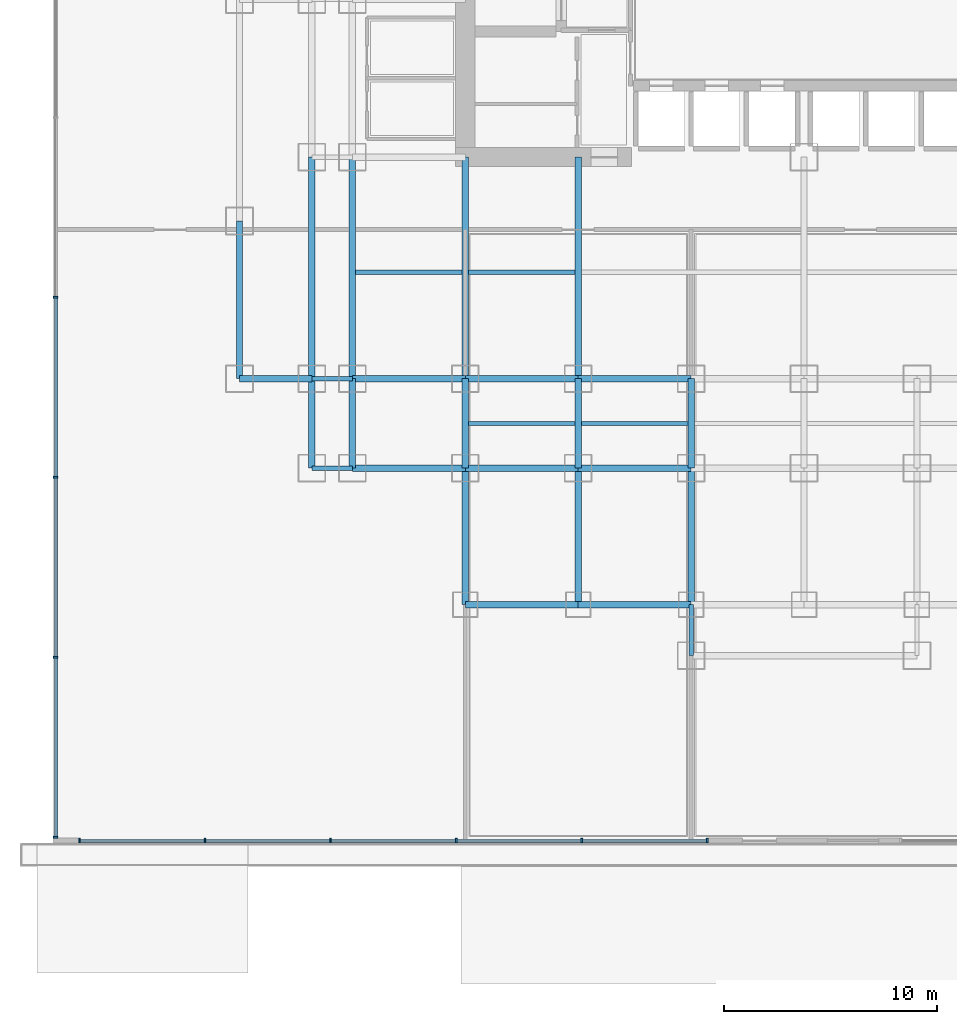
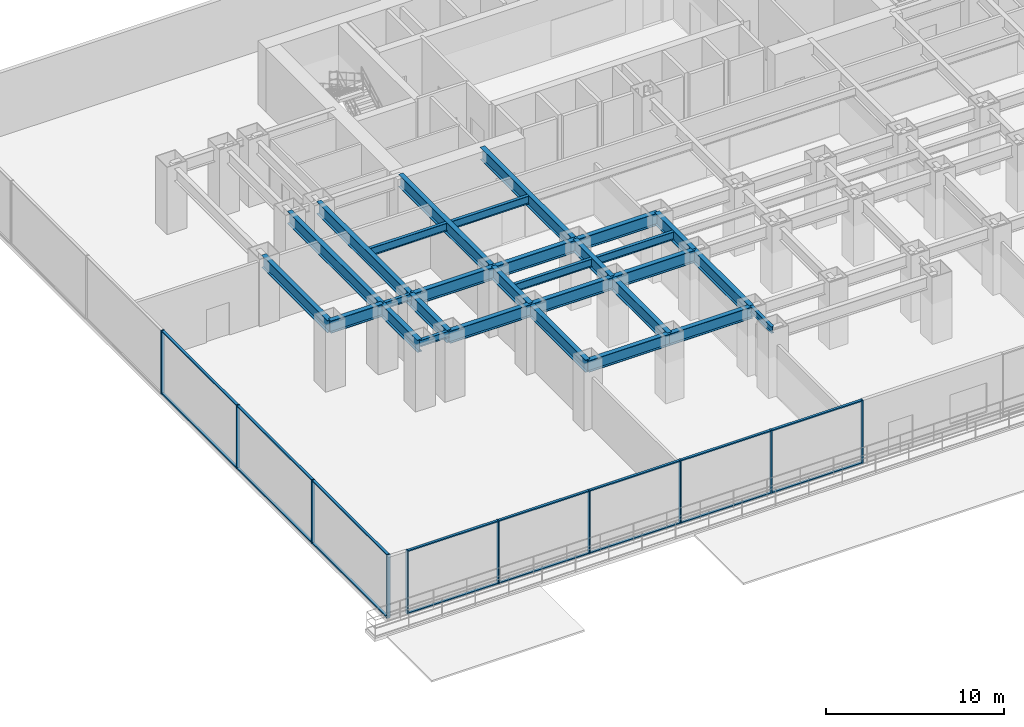
# One storey, part 2 of 13: 29 beams, 26 members, 2 elements without a shape of their own.
"""IFC4 building model written with IfcOpenShell, lengths in metres."""

from ifc_helpers import new_model, si_unit, direction, frame, origin, origin_2d, place, context, subcontext, project, spatial, rectangle, i_section, extrude, source, transform, mapped, material, layer, layer_set, material_profile, profile_set, type_object, element, aggregate, save


model = new_model("IFC4")

# Units and contexts
model_context = context("Model", 3, precision=1e-05, world=origin(), true_north=direction((0.0, 1.0)))
body_context = subcontext(model_context, "Body", "Model", "MODEL_VIEW")
ifc_project = project(units=[si_unit("LENGTHUNIT", "METRE"), si_unit("AREAUNIT", "SQUARE_METRE"), si_unit("VOLUMEUNIT", "CUBIC_METRE"), si_unit("PLANEANGLEUNIT", "RADIAN"), si_unit("MASSUNIT", "GRAM", prefix="KILO")], contexts=[model_context])

# Site, building, storey
site_placement = place(None, origin())
site = spatial("IfcSite", under=ifc_project, at=site_placement, CompositionType="ELEMENT")
building_placement = place(site_placement, origin())
building = spatial("IfcBuilding", under=site, at=building_placement, Name="Qianlan Lanfeng Residences", CompositionType="ELEMENT")
storey_placement = place(building_placement, frame((0.0, 0.0, 5.199951171875)))
storey = spatial("IfcBuildingStorey", under=building, at=storey_placement, Name="L01", CompositionType="ELEMENT", Elevation=5.199951171875)

# Beams
ifc_material_1 = material(Name="Steel SN490B", Category="steel")
ifc_material_profile_1 = material_profile(ifc_material_1, i_section(OverallWidth=0.300048828125, OverallDepth=0.85009765625, WebThickness=0.01611328125, FlangeThickness=0.031982421875, at=origin_2d()), Name="H 850x300x16x32")
ifc_profile_set_1 = profile_set([ifc_material_profile_1], Name="Steel SN490B")
beam_type_1 = type_object("IfcBeamType", Name="G-1100", PredefinedType="BEAM", material=ifc_profile_set_1)
beam_1_placement = place(storey_placement, frame((5.300048828125, 10.60009765625, 3.925048828125), z_axis=(1.0, 0.0, 0.0), x_axis=(0.0, 1.0, 0.0)))
element("IfcBeam", 1, at=beam_1_placement, inside=storey, type_object=beam_type_1, Name="Structural beam G-1100", PredefinedType="BEAM", context=body_context, shape_type="SweptSolid", body=[
    extrude(i_section(OverallWidth=0.300048828125, OverallDepth=0.85009765625, WebThickness=0.01611328125, FlangeThickness=0.031982421875, at=origin_2d()), origin(), (0.0, 0.0, 1.0), 5.300048828125),
])
beam_2_placement = place(storey_placement, frame((10.60009765625, 10.60009765625, 3.925048828125), z_axis=(1.0, 0.0, 0.0), x_axis=(0.0, 1.0, 0.0)))
element("IfcBeam", 2, at=beam_2_placement, inside=storey, type_object=beam_type_1, Name="Structural beam G-1100", PredefinedType="BEAM", context=body_context, shape_type="SweptSolid", body=[
    extrude(i_section(OverallWidth=0.300048828125, OverallDepth=0.85009765625, WebThickness=0.01611328125, FlangeThickness=0.031982421875, at=origin_2d()), origin(), (0.0, 0.0, 1.0), 5.2998046875),
])
beam_3_placement = place(storey_placement, frame((15.89990234375, 10.60009765625, 3.925048828125), z_axis=(1.0, 0.0, 0.0), x_axis=(0.0, 1.0, 0.0)))
element("IfcBeam", 3, at=beam_3_placement, inside=storey, type_object=beam_type_1, Name="Structural beam G-1100", PredefinedType="BEAM", context=body_context, shape_type="SweptSolid", body=[
    extrude(i_section(OverallWidth=0.300048828125, OverallDepth=0.85009765625, WebThickness=0.01611328125, FlangeThickness=0.031982421875, at=origin_2d()), origin(), (0.0, 0.0, 1.0), 5.300048828125),
])
beam_4_placement = place(storey_placement, frame((0.0, 14.800048828125, 3.925048828125), z_axis=(1.0, 0.0, 0.0), x_axis=(0.0, 1.0, 0.0)))
element("IfcBeam", 4, at=beam_4_placement, inside=storey, type_object=beam_type_1, Name="Structural beam G-1100", PredefinedType="BEAM", context=body_context, shape_type="SweptSolid", body=[
    extrude(i_section(OverallWidth=0.300048828125, OverallDepth=0.85009765625, WebThickness=0.01611328125, FlangeThickness=0.031982421875, at=origin_2d()), origin(), (0.0, 0.0, 1.0), 3.39990234375),
])
beam_5_placement = place(storey_placement, frame((5.300048828125, 14.800048828125, 3.925048828125), z_axis=(1.0, 0.0, 0.0), x_axis=(0.0, 1.0, 0.0)))
element("IfcBeam", 5, at=beam_5_placement, inside=storey, type_object=beam_type_1, Name="Structural beam G-1100", PredefinedType="BEAM", context=body_context, shape_type="SweptSolid", body=[
    extrude(i_section(OverallWidth=0.300048828125, OverallDepth=0.85009765625, WebThickness=0.01611328125, FlangeThickness=0.031982421875, at=origin_2d()), origin(), (0.0, 0.0, 1.0), 5.300048828125),
])
beam_6_placement = place(storey_placement, frame((10.60009765625, 14.800048828125, 3.925048828125), z_axis=(1.0, 0.0, 0.0), x_axis=(0.0, 1.0, 0.0)))
element("IfcBeam", 6, at=beam_6_placement, inside=storey, type_object=beam_type_1, Name="Structural beam G-1100", PredefinedType="BEAM", context=body_context, shape_type="SweptSolid", body=[
    extrude(i_section(OverallWidth=0.300048828125, OverallDepth=0.85009765625, WebThickness=0.01611328125, FlangeThickness=0.031982421875, at=origin_2d()), origin(), (0.0, 0.0, 1.0), 5.2998046875),
])
beam_7_placement = place(storey_placement, frame((15.89990234375, 14.800048828125, 3.925048828125), z_axis=(1.0, 0.0, 0.0), x_axis=(0.0, 1.0, 0.0)))
element("IfcBeam", 7, at=beam_7_placement, inside=storey, type_object=beam_type_1, Name="Structural beam G-1100", PredefinedType="BEAM", context=body_context, shape_type="SweptSolid", body=[
    extrude(i_section(OverallWidth=0.300048828125, OverallDepth=0.85009765625, WebThickness=0.01611328125, FlangeThickness=0.031982421875, at=origin_2d()), origin(), (0.0, 0.0, 1.0), 5.300048828125),
])
beam_8_placement = place(storey_placement, frame((0.0, 14.800048828125, 3.925048828125), z_axis=(0.0, 1.0, 0.0), x_axis=(-1.0, 0.0, 0.0)))
element("IfcBeam", 8, at=beam_8_placement, inside=storey, type_object=beam_type_1, Name="Structural beam G-1100", PredefinedType="BEAM", context=body_context, shape_type="SweptSolid", body=[
    extrude(i_section(OverallWidth=0.300048828125, OverallDepth=0.85009765625, WebThickness=0.01611328125, FlangeThickness=0.031982421875, at=origin_2d()), origin(), (0.0, 0.0, 1.0), 7.39990234375),
])
beam_9_placement = place(storey_placement, frame((3.39990234375, 10.60009765625, 3.925048828125), z_axis=(0.0, 1.0, 0.0), x_axis=(-1.0, 0.0, 0.0)))
element("IfcBeam", 9, at=beam_9_placement, inside=storey, type_object=beam_type_1, Name="Structural beam G-1100", PredefinedType="BEAM", context=body_context, shape_type="SweptSolid", body=[
    extrude(i_section(OverallWidth=0.300048828125, OverallDepth=0.85009765625, WebThickness=0.01611328125, FlangeThickness=0.031982421875, at=origin_2d()), origin(), (0.0, 0.0, 1.0), 4.199951171875),
])
beam_10_placement = place(storey_placement, frame((3.39990234375, 14.800048828125, 3.925048828125), z_axis=(0.0, 1.0, 0.0), x_axis=(-1.0, 0.0, 0.0)))
element("IfcBeam", 10, at=beam_10_placement, inside=storey, type_object=beam_type_1, Name="Structural beam G-1100", PredefinedType="BEAM", context=body_context, shape_type="SweptSolid", body=[
    extrude(i_section(OverallWidth=0.300048828125, OverallDepth=0.85009765625, WebThickness=0.01611328125, FlangeThickness=0.031982421875, at=origin_2d()), origin(), (0.0, 0.0, 1.0), 10.39990234375),
])
beam_11_placement = place(storey_placement, frame((5.300048828125, 10.60009765625, 3.925048828125), z_axis=(0.0, 1.0, 0.0), x_axis=(-1.0, 0.0, 0.0)))
element("IfcBeam", 11, at=beam_11_placement, inside=storey, type_object=beam_type_1, Name="Structural beam G-1100", PredefinedType="BEAM", context=body_context, shape_type="SweptSolid", body=[
    extrude(i_section(OverallWidth=0.300048828125, OverallDepth=0.85009765625, WebThickness=0.01611328125, FlangeThickness=0.031982421875, at=origin_2d()), origin(), (0.0, 0.0, 1.0), 4.199951171875),
])
beam_12_placement = place(storey_placement, frame((5.300048828125, 14.800048828125, 3.925048828125), z_axis=(0.0, 1.0, 0.0), x_axis=(-1.0, 0.0, 0.0)))
element("IfcBeam", 12, at=beam_12_placement, inside=storey, type_object=beam_type_1, Name="Structural beam G-1100", PredefinedType="BEAM", context=body_context, shape_type="SweptSolid", body=[
    extrude(i_section(OverallWidth=0.300048828125, OverallDepth=0.85009765625, WebThickness=0.01611328125, FlangeThickness=0.031982421875, at=origin_2d()), origin(), (0.0, 0.0, 1.0), 10.39990234375),
])
beam_13_placement = place(storey_placement, frame((10.60009765625, 4.199951171875, 3.925048828125), z_axis=(0.0, 1.0, 0.0), x_axis=(-1.0, 0.0, 0.0)))
element("IfcBeam", 13, at=beam_13_placement, inside=storey, type_object=beam_type_1, Name="Structural beam G-1100", PredefinedType="BEAM", context=body_context, shape_type="SweptSolid", body=[
    extrude(i_section(OverallWidth=0.300048828125, OverallDepth=0.85009765625, WebThickness=0.01611328125, FlangeThickness=0.031982421875, at=origin_2d()), origin(), (0.0, 0.0, 1.0), 6.400146484375),
])
beam_14_placement = place(storey_placement, frame((10.60009765625, 10.60009765625, 3.925048828125), z_axis=(0.0, 1.0, 0.0), x_axis=(-1.0, 0.0, 0.0)))
element("IfcBeam", 14, at=beam_14_placement, inside=storey, type_object=beam_type_1, Name="Structural beam G-1100", PredefinedType="BEAM", context=body_context, shape_type="SweptSolid", body=[
    extrude(i_section(OverallWidth=0.300048828125, OverallDepth=0.85009765625, WebThickness=0.01611328125, FlangeThickness=0.031982421875, at=origin_2d()), origin(), (0.0, 0.0, 1.0), 4.199951171875),
])
beam_15_placement = place(storey_placement, frame((10.60009765625, 14.800048828125, 3.925048828125), z_axis=(0.0, 1.0, 0.0), x_axis=(-1.0, 0.0, 0.0)))
element("IfcBeam", 15, at=beam_15_placement, inside=storey, type_object=beam_type_1, Name="Structural beam G-1100", PredefinedType="BEAM", context=body_context, shape_type="SweptSolid", body=[
    extrude(i_section(OverallWidth=0.300048828125, OverallDepth=0.85009765625, WebThickness=0.01611328125, FlangeThickness=0.031982421875, at=origin_2d()), origin(), (0.0, 0.0, 1.0), 10.39990234375),
])
beam_16_placement = place(storey_placement, frame((15.89990234375, 4.199951171875, 3.925048828125), z_axis=(0.0, 1.0, 0.0), x_axis=(-1.0, 0.0, 0.0)))
element("IfcBeam", 16, at=beam_16_placement, inside=storey, type_object=beam_type_1, Name="Structural beam G-1100", PredefinedType="BEAM", context=body_context, shape_type="SweptSolid", body=[
    extrude(i_section(OverallWidth=0.300048828125, OverallDepth=0.85009765625, WebThickness=0.01611328125, FlangeThickness=0.031982421875, at=origin_2d()), origin(), (0.0, 0.0, 1.0), 6.400146484375),
])
beam_17_placement = place(storey_placement, frame((15.89990234375, 10.60009765625, 3.925048828125), z_axis=(0.0, 1.0, 0.0), x_axis=(-1.0, 0.0, 0.0)))
element("IfcBeam", 17, at=beam_17_placement, inside=storey, type_object=beam_type_1, Name="Structural beam G-1100", PredefinedType="BEAM", context=body_context, shape_type="SweptSolid", body=[
    extrude(i_section(OverallWidth=0.300048828125, OverallDepth=0.85009765625, WebThickness=0.01611328125, FlangeThickness=0.031982421875, at=origin_2d()), origin(), (0.0, 0.0, 1.0), 4.199951171875),
])
beam_18_placement = place(storey_placement, frame((15.89990234375, 14.800048828125, 3.925048828125), z_axis=(0.0, 1.0, 0.0), x_axis=(-1.0, 0.0, 0.0)))
element("IfcBeam", 18, at=beam_18_placement, inside=storey, type_object=beam_type_1, Name="Structural beam G-1100", PredefinedType="BEAM", context=body_context, shape_type="SweptSolid", body=[
    extrude(i_section(OverallWidth=0.300048828125, OverallDepth=0.85009765625, WebThickness=0.01611328125, FlangeThickness=0.031982421875, at=origin_2d()), origin(), (0.0, 0.0, 1.0), 10.39990234375),
])
beam_19_placement = place(storey_placement, frame((21.199951171875, 4.199951171875, 3.925048828125), z_axis=(0.0, 1.0, 0.0), x_axis=(-1.0, 0.0, 0.0)))
element("IfcBeam", 19, at=beam_19_placement, inside=storey, type_object=beam_type_1, Name="Structural beam G-1100", PredefinedType="BEAM", context=body_context, shape_type="SweptSolid", body=[
    extrude(i_section(OverallWidth=0.300048828125, OverallDepth=0.85009765625, WebThickness=0.01611328125, FlangeThickness=0.031982421875, at=origin_2d()), origin(), (0.0, 0.0, 1.0), 6.400146484375),
])
beam_20_placement = place(storey_placement, frame((21.199951171875, 10.60009765625, 3.925048828125), z_axis=(0.0, 1.0, 0.0), x_axis=(-1.0, 0.0, 0.0)))
element("IfcBeam", 20, at=beam_20_placement, inside=storey, type_object=beam_type_1, Name="Structural beam G-1100", PredefinedType="BEAM", context=body_context, shape_type="SweptSolid", body=[
    extrude(i_section(OverallWidth=0.300048828125, OverallDepth=0.85009765625, WebThickness=0.01611328125, FlangeThickness=0.031982421875, at=origin_2d()), origin(), (0.0, 0.0, 1.0), 4.199951171875),
])
ifc_material_profile_2 = material_profile(ifc_material_1, i_section(OverallWidth=0.199951171875, OverallDepth=0.449951171875, WebThickness=0.009033203125, FlangeThickness=0.013916015625, at=origin_2d()), Name="H 450x200x9x14")
ifc_profile_set_2 = profile_set([ifc_material_profile_2], Name="Steel SN490B")
beam_type_2 = type_object("IfcBeamType", Name="J-450", PredefinedType="JOIST", material=ifc_profile_set_2)
for number, where, z_axis, x_axis, name in (
    (21, (3.39990234375, 10.60009765625, 4.125), (1.0, 0.0, 0.0), (0.0, 1.0, 0.0), "Structural beam J-450"),
    (22, (3.39990234375, 14.800048828125, 4.125), (1.0, 0.0, 0.0), (0.0, 1.0, 0.0), "Structural beam J-450"),
):
    element("IfcBeam", number, at=place(storey_placement, frame(where, z_axis=z_axis, x_axis=x_axis)), inside=storey, type_object=beam_type_2, Name=name, PredefinedType="JOIST", context=body_context, shape_type="SweptSolid", body=[
        extrude(i_section(OverallWidth=0.199951171875, OverallDepth=0.449951171875, WebThickness=0.009033203125, FlangeThickness=0.013916015625, at=origin_2d()), origin(), (0.0, 0.0, 1.0), 1.900146484375),
    ])
beam_21_placement = place(storey_placement, frame((21.199951171875, 1.800048828125, 4.125), z_axis=(0.0, 1.0, 0.0), x_axis=(-1.0, 0.0, 0.0)))
element("IfcBeam", 23, at=beam_21_placement, inside=storey, type_object=beam_type_2, Name="Structural beam J-450", PredefinedType="JOIST", context=body_context, shape_type="SweptSolid", body=[
    extrude(i_section(OverallWidth=0.199951171875, OverallDepth=0.449951171875, WebThickness=0.009033203125, FlangeThickness=0.013916015625, at=origin_2d()), origin(), (0.0, 0.0, 1.0), 2.39990234375),
])
ifc_material_profile_3 = material_profile(ifc_material_1, i_section(OverallWidth=0.199951171875, OverallDepth=0.550048828125, WebThickness=0.010986328125, FlangeThickness=0.01806640625, at=origin_2d()), Name="H 550x200x11x18")
ifc_profile_set_3 = profile_set([ifc_material_profile_3], Name="Steel SN490B")
beam_type_3 = type_object("IfcBeamType", Name="J-550", PredefinedType="JOIST", material=ifc_profile_set_3)
for number, where, z_axis, x_axis, name in (
    (24, (10.75, 12.699951171875, 4.074951171875), (1.0, 0.0, 0.0), (0.0, 1.0, 0.0), "Structural beam J-550"),
    (25, (16.050048828125, 12.699951171875, 4.074951171875), (1.0, 0.0, 0.0), (0.0, 1.0, 0.0), "Structural beam J-550"),
    (26, (5.449951171875, 19.800048828125, 4.074951171875), (1.0, 0.0, 0.0), (0.0, 1.0, 0.0), "Structural beam J-550"),
    (27, (10.75, 19.800048828125, 4.074951171875), (1.0, 0.0, 0.0), (0.0, 1.0, 0.0), "Structural beam J-550"),
):
    element("IfcBeam", number, at=place(storey_placement, frame(where, z_axis=z_axis, x_axis=x_axis)), inside=storey, type_object=beam_type_3, Name=name, PredefinedType="JOIST", context=body_context, shape_type="SweptSolid", body=[
        extrude(i_section(OverallWidth=0.199951171875, OverallDepth=0.550048828125, WebThickness=0.010986328125, FlangeThickness=0.01806640625, at=origin_2d()), origin(), (0.0, 0.0, 1.0), 5.0),
    ])
ifc_material_profile_4 = material_profile(ifc_material_1, i_section(OverallWidth=0.300048828125, OverallDepth=0.800048828125, WebThickness=0.01611328125, FlangeThickness=0.028076171875, at=origin_2d()), Name="H 800x300x16x28")
ifc_profile_set_4 = profile_set([ifc_material_profile_4], Name="Steel SN490B")
beam_type_4 = type_object("IfcBeamType", Name="SG-950", PredefinedType="SPANDREL", material=ifc_profile_set_4)
beam_22_placement = place(storey_placement, frame((10.60009765625, 4.199951171875, 3.949951171875), z_axis=(1.0, 0.0, 0.0), x_axis=(0.0, 1.0, 0.0)))
element("IfcBeam", 28, at=beam_22_placement, inside=storey, type_object=beam_type_4, Name="Structural beam SG-950", PredefinedType="SPANDREL", context=body_context, shape_type="SweptSolid", body=[
    extrude(i_section(OverallWidth=0.300048828125, OverallDepth=0.800048828125, WebThickness=0.01611328125, FlangeThickness=0.028076171875, at=origin_2d()), origin(), (0.0, 0.0, 1.0), 5.2998046875),
])
beam_23_placement = place(storey_placement, frame((15.89990234375, 4.199951171875, 3.949951171875), z_axis=(1.0, 0.0, 0.0), x_axis=(0.0, 1.0, 0.0)))
element("IfcBeam", 29, at=beam_23_placement, inside=storey, type_object=beam_type_4, Name="Structural beam SG-950", PredefinedType="SPANDREL", context=body_context, shape_type="SweptSolid", body=[
    extrude(i_section(OverallWidth=0.300048828125, OverallDepth=0.800048828125, WebThickness=0.01611328125, FlangeThickness=0.028076171875, at=origin_2d()), origin(), (0.0, 0.0, 1.0), 5.300048828125),
])

# Curtain wall, members
ifc_material_2 = material(Name="Anodised Bronze Aluminium 6063-T6", Category="aluminium")
ifc_layer = layer(ifc_material_2, 0.219970703125)
ifc_layer_set = layer_set([ifc_layer], Name="Anodised Bronze Aluminium 6063-T6")
curtain_wall_type = type_object("IfcCurtainWallType", Name="CW-01", PredefinedType="NOTDEFINED", material=ifc_layer_set)
curtain_wall_1_placement = place(storey_placement, origin())
curtain_wall_1 = element("IfcCurtainWall", 30, at=curtain_wall_1_placement, inside=storey, type_object=curtain_wall_type, Name="L01 Unitised Curtain Wall CWR-L01-SW (CW-01)", PredefinedType="NOTDEFINED")
ifc_material_profile_5 = material_profile(ifc_material_2, rectangle(XDim=0.080078125, YDim=0.2099609375, at=origin_2d()), Name="ALU MULLION 80x210")
ifc_profile_set_5 = profile_set([ifc_material_profile_5], Name="Anodised Bronze Aluminium 6063-T6")
member_type_1 = type_object("IfcMemberType", Name="CWM-220", PredefinedType="MULLION", material=ifc_profile_set_5)
shared_shape_1 = source(origin(), body_context, "Body", "SweptSolid", [
    extrude(rectangle(XDim=0.080078125, YDim=0.2099609375, at=origin_2d()), origin(), (0.0, 0.0, 1.0), 4.35009765625),
])
member_1_placement = place(storey_placement, frame((-7.510009765625, -6.8798828125, 0.0), z_axis=(0.0, 0.0, 1.0), x_axis=(1.0, 0.0, 0.0)))
member_1 = element("IfcMember", 31, at=member_1_placement, type_object=member_type_1, Name="CWR-L01-SW Mullion 1", PredefinedType="MULLION", context=body_context, shape_type="MappedRepresentation", body=[
    mapped(shared_shape_1, transform((0.0, 0.0, 0.0), scale=1.0)),
])
member_2_placement = place(storey_placement, frame((-1.615966796875, -6.8798828125, 0.0), z_axis=(0.0, 0.0, 1.0), x_axis=(1.0, 0.0, 0.0)))
member_2 = element("IfcMember", 32, at=member_2_placement, type_object=member_type_1, Name="CWR-L01-SW Mullion 2", PredefinedType="MULLION", context=body_context, shape_type="MappedRepresentation", body=[
    mapped(shared_shape_1, transform((0.0, 0.0, 0.0), scale=1.0)),
])
member_3_placement = place(storey_placement, frame((4.278076171875, -6.8798828125, 0.0), z_axis=(0.0, 0.0, 1.0), x_axis=(1.0, 0.0, 0.0)))
member_3 = element("IfcMember", 33, at=member_3_placement, type_object=member_type_1, Name="CWR-L01-SW Mullion 3", PredefinedType="MULLION", context=body_context, shape_type="MappedRepresentation", body=[
    mapped(shared_shape_1, transform((0.0, 0.0, 0.0), scale=1.0)),
])
member_4_placement = place(storey_placement, frame((10.172119140625, -6.8798828125, 0.0), z_axis=(0.0, 0.0, 1.0), x_axis=(1.0, 0.0, 0.0)))
member_4 = element("IfcMember", 34, at=member_4_placement, type_object=member_type_1, Name="CWR-L01-SW Mullion 4", PredefinedType="MULLION", context=body_context, shape_type="MappedRepresentation", body=[
    mapped(shared_shape_1, transform((0.0, 0.0, 0.0), scale=1.0)),
])
member_5_placement = place(storey_placement, frame((16.06591796875, -6.8798828125, 0.0), z_axis=(0.0, 0.0, 1.0), x_axis=(1.0, 0.0, 0.0)))
member_5 = element("IfcMember", 35, at=member_5_placement, type_object=member_type_1, Name="CWR-L01-SW Mullion 5", PredefinedType="MULLION", context=body_context, shape_type="MappedRepresentation", body=[
    mapped(shared_shape_1, transform((0.0, 0.0, 0.0), scale=1.0)),
])
member_6_placement = place(storey_placement, frame((21.9599609375, -6.8798828125, 0.0), z_axis=(0.0, 0.0, 1.0), x_axis=(1.0, 0.0, 0.0)))
member_6 = element("IfcMember", 36, at=member_6_placement, type_object=member_type_1, Name="CWR-L01-SW Mullion 6", PredefinedType="MULLION", context=body_context, shape_type="MappedRepresentation", body=[
    mapped(shared_shape_1, transform((0.0, 0.0, 0.0), scale=1.0)),
])

curtain_wall_2_placement = place(storey_placement, origin())
curtain_wall_2 = element("IfcCurtainWall", 37, at=curtain_wall_2_placement, inside=storey, type_object=curtain_wall_type, Name="L01 Unitised Curtain Wall CWR-L01-W (CW-01)", PredefinedType="NOTDEFINED")
member_7_placement = place(storey_placement, frame((-8.6298828125, 18.6201171875, 0.0), z_axis=(0.0, 0.0, 1.0), x_axis=(0.0, -1.0, 0.0)))
member_7 = element("IfcMember", 38, at=member_7_placement, type_object=member_type_1, Name="CWR-L01-W Mullion 4", PredefinedType="MULLION", context=body_context, shape_type="MappedRepresentation", body=[
    mapped(shared_shape_1, transform((0.0, 0.0, 0.0), scale=1.0)),
])
member_8_placement = place(storey_placement, frame((-8.6298828125, 10.17333984375, 0.0), z_axis=(0.0, 0.0, 1.0), x_axis=(0.0, -1.0, 0.0)))
member_8 = element("IfcMember", 39, at=member_8_placement, type_object=member_type_1, Name="CWR-L01-W Mullion 5", PredefinedType="MULLION", context=body_context, shape_type="MappedRepresentation", body=[
    mapped(shared_shape_1, transform((0.0, 0.0, 0.0), scale=1.0)),
])
member_9_placement = place(storey_placement, frame((-8.6298828125, 1.726806640625, 0.0), z_axis=(0.0, 0.0, 1.0), x_axis=(0.0, -1.0, 0.0)))
member_9 = element("IfcMember", 40, at=member_9_placement, type_object=member_type_1, Name="CWR-L01-W Mullion 6", PredefinedType="MULLION", context=body_context, shape_type="MappedRepresentation", body=[
    mapped(shared_shape_1, transform((0.0, 0.0, 0.0), scale=1.0)),
])
member_10_placement = place(storey_placement, frame((-8.6298828125, -6.719970703125, 0.0), z_axis=(0.0, 0.0, 1.0), x_axis=(0.0, -1.0, 0.0)))
member_10 = element("IfcMember", 41, at=member_10_placement, type_object=member_type_1, Name="CWR-L01-W Mullion 7", PredefinedType="MULLION", context=body_context, shape_type="MappedRepresentation", body=[
    mapped(shared_shape_1, transform((0.0, 0.0, 0.0), scale=1.0)),
])

# Member
ifc_material_profile_6 = material_profile(ifc_material_2, rectangle(XDim=0.080078125, YDim=0.159912109375, at=origin_2d()), Name="ALU TRANSOM 80x160")
ifc_profile_set_6 = profile_set([ifc_material_profile_6], Name="Anodised Bronze Aluminium 6063-T6")
member_type_2 = type_object("IfcMemberType", Name="CWT-180", PredefinedType="USERDEFINED", material=ifc_profile_set_6)
shared_shape_2 = source(origin(), body_context, "Body", "SweptSolid", [
    extrude(rectangle(XDim=0.080078125, YDim=0.159912109375, at=origin_2d()), origin(), (0.0, 0.0, 1.0), 5.81396484375),
])
member_11_placement = place(storey_placement, frame((-7.469970703125, -6.8798828125, 0.0400390625), z_axis=(1.0, 0.0, 0.0), x_axis=(0.0, 0.0, 1.0)))
member_11 = element("IfcMember", 42, at=member_11_placement, type_object=member_type_2, Name="CWR-L01-SW Transom 1-BOT", ObjectType="TRANSOM", PredefinedType="USERDEFINED", context=body_context, shape_type="MappedRepresentation", body=[
    mapped(shared_shape_2, transform((0.0, 0.0, 0.0), scale=1.0)),
])

member_12_placement = place(storey_placement, frame((-7.469970703125, -6.8798828125, 4.31005859375), z_axis=(1.0, 0.0, 0.0), x_axis=(0.0, 0.0, 1.0)))
member_12 = element("IfcMember", 43, at=member_12_placement, type_object=member_type_2, Name="CWR-L01-SW Transom 1-TOP", ObjectType="TRANSOM", PredefinedType="USERDEFINED", context=body_context, shape_type="MappedRepresentation", body=[
    mapped(shared_shape_2, transform((0.0, 0.0, 0.0), scale=1.0)),
])

member_13_placement = place(storey_placement, frame((-1.575927734375, -6.8798828125, 0.0400390625), z_axis=(1.0, 0.0, 0.0), x_axis=(0.0, 0.0, 1.0)))
member_13 = element("IfcMember", 44, at=member_13_placement, type_object=member_type_2, Name="CWR-L01-SW Transom 2-BOT", ObjectType="TRANSOM", PredefinedType="USERDEFINED", context=body_context, shape_type="MappedRepresentation", body=[
    mapped(shared_shape_2, transform((0.0, 0.0, 0.0), scale=1.0)),
])

member_14_placement = place(storey_placement, frame((-1.575927734375, -6.8798828125, 4.31005859375), z_axis=(1.0, 0.0, 0.0), x_axis=(0.0, 0.0, 1.0)))
member_14 = element("IfcMember", 45, at=member_14_placement, type_object=member_type_2, Name="CWR-L01-SW Transom 2-TOP", ObjectType="TRANSOM", PredefinedType="USERDEFINED", context=body_context, shape_type="MappedRepresentation", body=[
    mapped(shared_shape_2, transform((0.0, 0.0, 0.0), scale=1.0)),
])

member_15_placement = place(storey_placement, frame((4.318115234375, -6.8798828125, 0.0400390625), z_axis=(1.0, 0.0, 0.0), x_axis=(0.0, 0.0, 1.0)))
member_15 = element("IfcMember", 46, at=member_15_placement, type_object=member_type_2, Name="CWR-L01-SW Transom 3-BOT", ObjectType="TRANSOM", PredefinedType="USERDEFINED", context=body_context, shape_type="MappedRepresentation", body=[
    mapped(shared_shape_2, transform((0.0, 0.0, 0.0), scale=1.0)),
])

member_16_placement = place(storey_placement, frame((4.318115234375, -6.8798828125, 4.31005859375), z_axis=(1.0, 0.0, 0.0), x_axis=(0.0, 0.0, 1.0)))
member_16 = element("IfcMember", 47, at=member_16_placement, type_object=member_type_2, Name="CWR-L01-SW Transom 3-TOP", ObjectType="TRANSOM", PredefinedType="USERDEFINED", context=body_context, shape_type="MappedRepresentation", body=[
    mapped(shared_shape_2, transform((0.0, 0.0, 0.0), scale=1.0)),
])

member_17_placement = place(storey_placement, frame((10.2119140625, -6.8798828125, 0.0400390625), z_axis=(1.0, 0.0, 0.0), x_axis=(0.0, 0.0, 1.0)))
member_17 = element("IfcMember", 48, at=member_17_placement, type_object=member_type_2, Name="CWR-L01-SW Transom 4-BOT", ObjectType="TRANSOM", PredefinedType="USERDEFINED", context=body_context, shape_type="MappedRepresentation", body=[
    mapped(shared_shape_2, transform((0.0, 0.0, 0.0), scale=1.0)),
])

member_18_placement = place(storey_placement, frame((10.2119140625, -6.8798828125, 4.31005859375), z_axis=(1.0, 0.0, 0.0), x_axis=(0.0, 0.0, 1.0)))
member_18 = element("IfcMember", 49, at=member_18_placement, type_object=member_type_2, Name="CWR-L01-SW Transom 4-TOP", ObjectType="TRANSOM", PredefinedType="USERDEFINED", context=body_context, shape_type="MappedRepresentation", body=[
    mapped(shared_shape_2, transform((0.0, 0.0, 0.0), scale=1.0)),
])

member_19_placement = place(storey_placement, frame((16.10595703125, -6.8798828125, 0.0400390625), z_axis=(1.0, 0.0, 0.0), x_axis=(0.0, 0.0, 1.0)))
member_19 = element("IfcMember", 50, at=member_19_placement, type_object=member_type_2, Name="CWR-L01-SW Transom 5-BOT", ObjectType="TRANSOM", PredefinedType="USERDEFINED", context=body_context, shape_type="MappedRepresentation", body=[
    mapped(shared_shape_2, transform((0.0, 0.0, 0.0), scale=1.0)),
])

member_20_placement = place(storey_placement, frame((16.10595703125, -6.8798828125, 4.31005859375), z_axis=(1.0, 0.0, 0.0), x_axis=(0.0, 0.0, 1.0)))
member_20 = element("IfcMember", 51, at=member_20_placement, type_object=member_type_2, Name="CWR-L01-SW Transom 5-TOP", ObjectType="TRANSOM", PredefinedType="USERDEFINED", context=body_context, shape_type="MappedRepresentation", body=[
    mapped(shared_shape_2, transform((0.0, 0.0, 0.0), scale=1.0)),
])

aggregate(curtain_wall_1, [member_1, member_2, member_3, member_4, member_5, member_6, member_11, member_12, member_13, member_14, member_15, member_16, member_17, member_18, member_19, member_20])

shared_shape_3 = source(origin(), body_context, "Body", "SweptSolid", [
    extrude(rectangle(XDim=0.080078125, YDim=0.159912109375, at=origin_2d()), origin(), (0.0, 0.0, 1.0), 8.36669921875),
])
member_21_placement = place(storey_placement, frame((-8.6298828125, 18.580078125, 0.0400390625), z_axis=(0.0, -1.0, 0.0), x_axis=(0.0, 0.0, 1.0)))
member_21 = element("IfcMember", 52, at=member_21_placement, type_object=member_type_2, Name="CWR-L01-W Transom 4-BOT", ObjectType="TRANSOM", PredefinedType="USERDEFINED", context=body_context, shape_type="MappedRepresentation", body=[
    mapped(shared_shape_3, transform((0.0, 0.0, 0.0), scale=1.0)),
])

member_22_placement = place(storey_placement, frame((-8.6298828125, 18.580078125, 4.31005859375), z_axis=(0.0, -1.0, 0.0), x_axis=(0.0, 0.0, 1.0)))
member_22 = element("IfcMember", 53, at=member_22_placement, type_object=member_type_2, Name="CWR-L01-W Transom 4-TOP", ObjectType="TRANSOM", PredefinedType="USERDEFINED", context=body_context, shape_type="MappedRepresentation", body=[
    mapped(shared_shape_3, transform((0.0, 0.0, 0.0), scale=1.0)),
])

member_23_placement = place(storey_placement, frame((-8.6298828125, 10.13330078125, 0.0400390625), z_axis=(0.0, -1.0, 0.0), x_axis=(0.0, 0.0, 1.0)))
member_23 = element("IfcMember", 54, at=member_23_placement, type_object=member_type_2, Name="CWR-L01-W Transom 5-BOT", ObjectType="TRANSOM", PredefinedType="USERDEFINED", context=body_context, shape_type="MappedRepresentation", body=[
    mapped(shared_shape_3, transform((0.0, 0.0, 0.0), scale=1.0)),
])

member_24_placement = place(storey_placement, frame((-8.6298828125, 10.13330078125, 4.31005859375), z_axis=(0.0, -1.0, 0.0), x_axis=(0.0, 0.0, 1.0)))
member_24 = element("IfcMember", 55, at=member_24_placement, type_object=member_type_2, Name="CWR-L01-W Transom 5-TOP", ObjectType="TRANSOM", PredefinedType="USERDEFINED", context=body_context, shape_type="MappedRepresentation", body=[
    mapped(shared_shape_3, transform((0.0, 0.0, 0.0), scale=1.0)),
])

member_25_placement = place(storey_placement, frame((-8.6298828125, 1.686767578125, 0.0400390625), z_axis=(0.0, -1.0, 0.0), x_axis=(0.0, 0.0, 1.0)))
member_25 = element("IfcMember", 56, at=member_25_placement, type_object=member_type_2, Name="CWR-L01-W Transom 6-BOT", ObjectType="TRANSOM", PredefinedType="USERDEFINED", context=body_context, shape_type="MappedRepresentation", body=[
    mapped(shared_shape_3, transform((0.0, 0.0, 0.0), scale=1.0)),
])

member_26_placement = place(storey_placement, frame((-8.6298828125, 1.686767578125, 4.31005859375), z_axis=(0.0, -1.0, 0.0), x_axis=(0.0, 0.0, 1.0)))
member_26 = element("IfcMember", 57, at=member_26_placement, type_object=member_type_2, Name="CWR-L01-W Transom 6-TOP", ObjectType="TRANSOM", PredefinedType="USERDEFINED", context=body_context, shape_type="MappedRepresentation", body=[
    mapped(shared_shape_3, transform((0.0, 0.0, 0.0), scale=1.0)),
])

aggregate(curtain_wall_2, [member_7, member_8, member_9, member_10, member_21, member_22, member_23, member_24, member_25, member_26])

save(model, "model.ifc")
